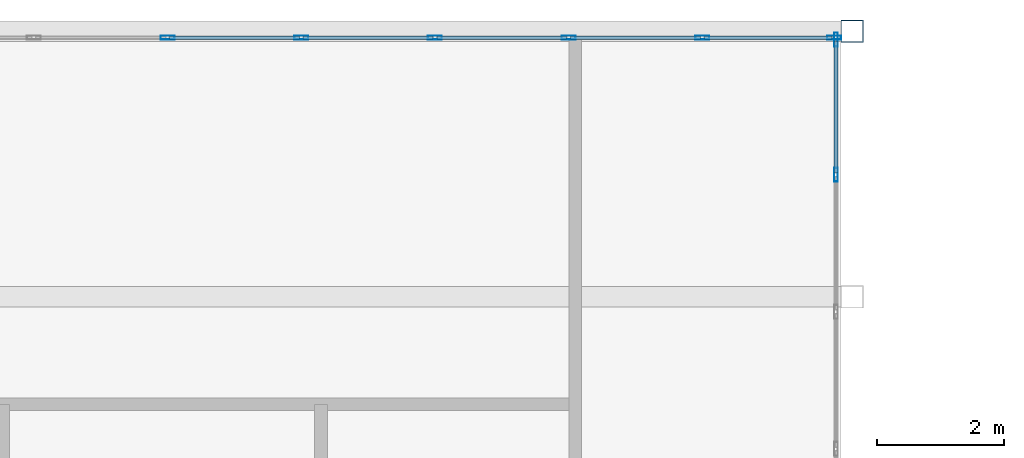
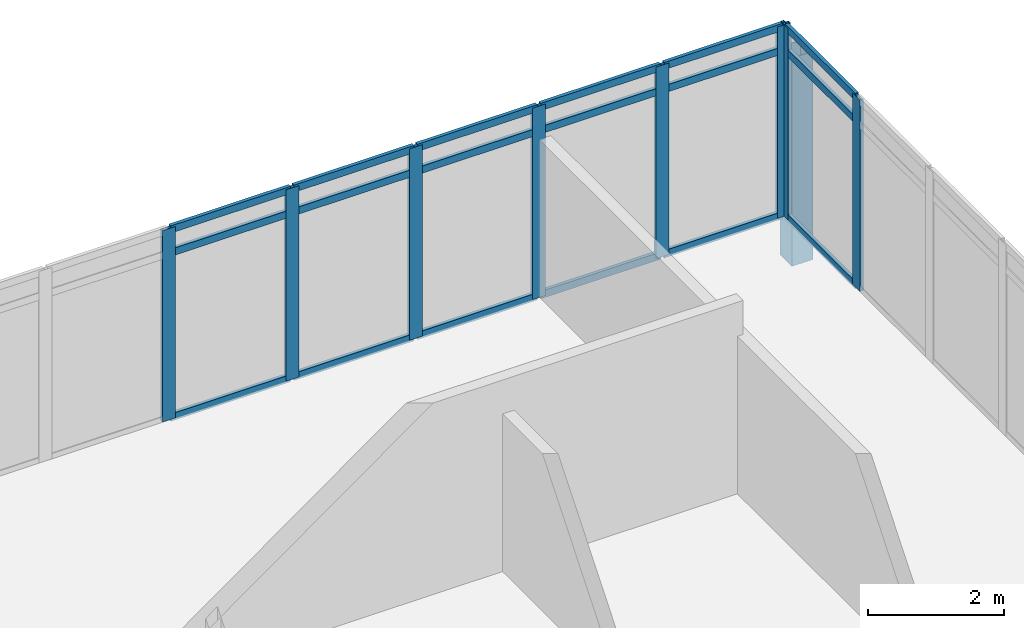
# One storey, part 17 of 25: 27 members, 2 elements without a shape of their own.
"""IFC4 building model written with IfcOpenShell, lengths in metres."""

from ifc_helpers import new_model, si_unit, direction, frame, origin, origin_2d, place, context, subcontext, project, spatial, hollow_rectangle, extrude, material, material_profile, profile_set, type_object, element, aggregate, save


model = new_model("IFC4")

# Units and contexts
model_context = context("Model", 3, precision=1e-05, world=origin(), true_north=direction((0.0, 1.0)))
body_context = subcontext(model_context, "Body", "Model", "MODEL_VIEW")
ifc_project = project(units=[si_unit("LENGTHUNIT", "METRE"), si_unit("AREAUNIT", "SQUARE_METRE"), si_unit("VOLUMEUNIT", "CUBIC_METRE"), si_unit("PLANEANGLEUNIT", "RADIAN"), si_unit("MASSUNIT", "GRAM", prefix="KILO")], contexts=[model_context])

# Site, building, storey
site_placement = place(None, origin())
site = spatial("IfcSite", under=ifc_project, at=site_placement, CompositionType="ELEMENT")
building_placement = place(site_placement, origin())
building = spatial("IfcBuilding", under=site, at=building_placement, Name="Ostrander Bayou Hotel Tower", CompositionType="ELEMENT")
storey_placement = place(building_placement, frame((0.0, 0.0, 229.5)))
storey = spatial("IfcBuildingStorey", under=building, at=storey_placement, Name="L57", CompositionType="ELEMENT", Elevation=229.5)

# Curtain wall, members
ifc_material_1 = material(Name="Aluminium and clear glass", Category="aluminium")
curtain_wall_type = type_object("IfcCurtainWallType", Name="CW-BAR glazed wall", PredefinedType="NOTDEFINED", material=ifc_material_1)
curtain_wall_1_placement = place(storey_placement, origin())
curtain_wall_1 = element("IfcCurtainWall", 1, at=curtain_wall_1_placement, inside=storey, type_object=curtain_wall_type, Name="CW-BAR L57:SB5N:T", PredefinedType="NOTDEFINED")
ifc_material_2 = material(Name="Aluminium", Category="aluminium")
ifc_material_profile_1 = material_profile(ifc_material_2, hollow_rectangle(XDim=0.06005859375, YDim=0.219970703125, WallThickness=0.00390625, at=origin_2d()))
ifc_profile_set_1 = profile_set([ifc_material_profile_1], Name="Aluminium")
member_type_1 = type_object("IfcMemberType", Name="CW-BR mullion 60 x 220 mm", PredefinedType="MULLION", material=ifc_profile_set_1)
member_1_placement = place(storey_placement, frame((0.0, 28.86669921875, 0.0), z_axis=(0.0, 0.0, 1.0), x_axis=(0.0, 1.0, 0.0)))
member_1 = element("IfcMember", 2, at=member_1_placement, type_object=member_type_1, Name="CW-BAR mullion 6", PredefinedType="MULLION", context=body_context, shape_type="SweptSolid", body=[
    extrude(hollow_rectangle(XDim=0.06005859375, YDim=0.219970703125, WallThickness=0.00390625, at=origin_2d()), origin(), (0.0, 0.0, 1.0), 3.449951171875),
])
member_2_placement = place(storey_placement, frame((2.1025390625, 28.86669921875, 0.0), z_axis=(0.0, 0.0, 1.0), x_axis=(0.0, 1.0, 0.0)))
member_2 = element("IfcMember", 3, at=member_2_placement, type_object=member_type_1, Name="CW-BAR mullion 7", PredefinedType="MULLION", context=body_context, shape_type="SweptSolid", body=[
    extrude(hollow_rectangle(XDim=0.06005859375, YDim=0.219970703125, WallThickness=0.00390625, at=origin_2d()), origin(), (0.0, 0.0, 1.0), 3.449951171875),
])
member_3_placement = place(storey_placement, frame((4.204833984375, 28.86669921875, 0.0), z_axis=(0.0, 0.0, 1.0), x_axis=(0.0, 1.0, 0.0)))
member_3 = element("IfcMember", 4, at=member_3_placement, type_object=member_type_1, Name="CW-BAR mullion 8", PredefinedType="MULLION", context=body_context, shape_type="SweptSolid", body=[
    extrude(hollow_rectangle(XDim=0.06005859375, YDim=0.219970703125, WallThickness=0.00390625, at=origin_2d()), origin(), (0.0, 0.0, 1.0), 3.449951171875),
])
member_4_placement = place(storey_placement, frame((6.307373046875, 28.86669921875, 0.0), z_axis=(0.0, 0.0, 1.0), x_axis=(0.0, 1.0, 0.0)))
member_4 = element("IfcMember", 5, at=member_4_placement, type_object=member_type_1, Name="CW-BAR mullion 9", PredefinedType="MULLION", context=body_context, shape_type="SweptSolid", body=[
    extrude(hollow_rectangle(XDim=0.06005859375, YDim=0.219970703125, WallThickness=0.00390625, at=origin_2d()), origin(), (0.0, 0.0, 1.0), 3.449951171875),
])
member_5_placement = place(storey_placement, frame((8.40966796875, 28.86669921875, 0.0), z_axis=(0.0, 0.0, 1.0), x_axis=(0.0, 1.0, 0.0)))
member_5 = element("IfcMember", 6, at=member_5_placement, type_object=member_type_1, Name="CW-BAR mullion 10", PredefinedType="MULLION", context=body_context, shape_type="SweptSolid", body=[
    extrude(hollow_rectangle(XDim=0.06005859375, YDim=0.219970703125, WallThickness=0.00390625, at=origin_2d()), origin(), (0.0, 0.0, 1.0), 3.449951171875),
])
member_6_placement = place(storey_placement, frame((10.482177734375, 28.86669921875, 0.0), z_axis=(0.0, 0.0, 1.0), x_axis=(0.0, 1.0, 0.0)))
member_6 = element("IfcMember", 7, at=member_6_placement, type_object=member_type_1, Name="CW-BAR mullion 11", PredefinedType="MULLION", context=body_context, shape_type="SweptSolid", body=[
    extrude(hollow_rectangle(XDim=0.06005859375, YDim=0.219970703125, WallThickness=0.00390625, at=origin_2d()), origin(), (0.0, 0.0, 1.0), 3.449951171875),
])

curtain_wall_2_placement = place(storey_placement, origin())
curtain_wall_2 = element("IfcCurtainWall", 8, at=curtain_wall_2_placement, inside=storey, type_object=curtain_wall_type, Name="CW-BAR L57:SB5N:W", PredefinedType="NOTDEFINED")
member_7_placement = place(storey_placement, frame((10.51220703125, 26.7109375, 0.0), z_axis=(0.0, 0.0, 1.0), x_axis=(-1.0, 0.0, 0.0)))
member_7 = element("IfcMember", 9, at=member_7_placement, type_object=member_type_1, Name="CW-BAR mullion 9", PredefinedType="MULLION", context=body_context, shape_type="SweptSolid", body=[
    extrude(hollow_rectangle(XDim=0.06005859375, YDim=0.219970703125, WallThickness=0.00390625, at=origin_2d()), origin(), (0.0, 0.0, 1.0), 3.449951171875),
])
member_8_placement = place(storey_placement, frame((10.51220703125, 28.836669921875, 0.0), z_axis=(0.0, 0.0, 1.0), x_axis=(-1.0, 0.0, 0.0)))
member_8 = element("IfcMember", 10, at=member_8_placement, type_object=member_type_1, Name="CW-BAR mullion 10", PredefinedType="MULLION", context=body_context, shape_type="SweptSolid", body=[
    extrude(hollow_rectangle(XDim=0.06005859375, YDim=0.219970703125, WallThickness=0.00390625, at=origin_2d()), origin(), (0.0, 0.0, 1.0), 3.449951171875),
])

# Member
ifc_material_3 = material(Name="Aluminium", Category="aluminium")
ifc_material_profile_2 = material_profile(ifc_material_3, hollow_rectangle(XDim=0.06005859375, YDim=0.1298828125, WallThickness=0.00390625, at=origin_2d()))
ifc_profile_set_2 = profile_set([ifc_material_profile_2], Name="Aluminium")
member_type_2 = type_object("IfcMemberType", Name="CW-BR transom 60 x 130 mm", PredefinedType="USERDEFINED", material=ifc_profile_set_2)
member_9_placement = place(storey_placement, frame((0.030029296875, 28.86669921875, 0.030029296875), z_axis=(1.0, 0.0, 0.0), x_axis=(0.0, 1.0, 0.0)))
member_9 = element("IfcMember", 11, at=member_9_placement, type_object=member_type_2, Name="CW-BAR transom 6.1", ObjectType="TRANSOM", PredefinedType="USERDEFINED", context=body_context, shape_type="SweptSolid", body=[
    extrude(hollow_rectangle(XDim=0.06005859375, YDim=0.1298828125, WallThickness=0.00390625, at=origin_2d()), origin(), (0.0, 0.0, 1.0), 2.04248046875),
])

member_10_placement = place(storey_placement, frame((0.030029296875, 28.86669921875, 3.0), z_axis=(1.0, 0.0, 0.0), x_axis=(0.0, 1.0, 0.0)))
member_10 = element("IfcMember", 12, at=member_10_placement, type_object=member_type_2, Name="CW-BAR transom 6.2", ObjectType="TRANSOM", PredefinedType="USERDEFINED", context=body_context, shape_type="SweptSolid", body=[
    extrude(hollow_rectangle(XDim=0.06005859375, YDim=0.1298828125, WallThickness=0.00390625, at=origin_2d()), origin(), (0.0, 0.0, 1.0), 2.04248046875),
])

member_11_placement = place(storey_placement, frame((0.030029296875, 28.86669921875, 3.419921875), z_axis=(1.0, 0.0, 0.0), x_axis=(0.0, 1.0, 0.0)))
member_11 = element("IfcMember", 13, at=member_11_placement, type_object=member_type_2, Name="CW-BAR transom 6.3", ObjectType="TRANSOM", PredefinedType="USERDEFINED", context=body_context, shape_type="SweptSolid", body=[
    extrude(hollow_rectangle(XDim=0.06005859375, YDim=0.1298828125, WallThickness=0.00390625, at=origin_2d()), origin(), (0.0, 0.0, 1.0), 2.04248046875),
])

member_12_placement = place(storey_placement, frame((2.13232421875, 28.86669921875, 0.030029296875), z_axis=(1.0, 0.0, 0.0), x_axis=(0.0, 1.0, 0.0)))
member_12 = element("IfcMember", 14, at=member_12_placement, type_object=member_type_2, Name="CW-BAR transom 7.1", ObjectType="TRANSOM", PredefinedType="USERDEFINED", context=body_context, shape_type="SweptSolid", body=[
    extrude(hollow_rectangle(XDim=0.06005859375, YDim=0.1298828125, WallThickness=0.00390625, at=origin_2d()), origin(), (0.0, 0.0, 1.0), 2.04248046875),
])

member_13_placement = place(storey_placement, frame((2.13232421875, 28.86669921875, 3.0), z_axis=(1.0, 0.0, 0.0), x_axis=(0.0, 1.0, 0.0)))
member_13 = element("IfcMember", 15, at=member_13_placement, type_object=member_type_2, Name="CW-BAR transom 7.2", ObjectType="TRANSOM", PredefinedType="USERDEFINED", context=body_context, shape_type="SweptSolid", body=[
    extrude(hollow_rectangle(XDim=0.06005859375, YDim=0.1298828125, WallThickness=0.00390625, at=origin_2d()), origin(), (0.0, 0.0, 1.0), 2.04248046875),
])

member_14_placement = place(storey_placement, frame((2.13232421875, 28.86669921875, 3.419921875), z_axis=(1.0, 0.0, 0.0), x_axis=(0.0, 1.0, 0.0)))
member_14 = element("IfcMember", 16, at=member_14_placement, type_object=member_type_2, Name="CW-BAR transom 7.3", ObjectType="TRANSOM", PredefinedType="USERDEFINED", context=body_context, shape_type="SweptSolid", body=[
    extrude(hollow_rectangle(XDim=0.06005859375, YDim=0.1298828125, WallThickness=0.00390625, at=origin_2d()), origin(), (0.0, 0.0, 1.0), 2.04248046875),
])

member_15_placement = place(storey_placement, frame((4.23486328125, 28.86669921875, 0.030029296875), z_axis=(1.0, 0.0, 0.0), x_axis=(0.0, 1.0, 0.0)))
member_15 = element("IfcMember", 17, at=member_15_placement, type_object=member_type_2, Name="CW-BAR transom 8.1", ObjectType="TRANSOM", PredefinedType="USERDEFINED", context=body_context, shape_type="SweptSolid", body=[
    extrude(hollow_rectangle(XDim=0.06005859375, YDim=0.1298828125, WallThickness=0.00390625, at=origin_2d()), origin(), (0.0, 0.0, 1.0), 2.04248046875),
])

member_16_placement = place(storey_placement, frame((4.23486328125, 28.86669921875, 3.0), z_axis=(1.0, 0.0, 0.0), x_axis=(0.0, 1.0, 0.0)))
member_16 = element("IfcMember", 18, at=member_16_placement, type_object=member_type_2, Name="CW-BAR transom 8.2", ObjectType="TRANSOM", PredefinedType="USERDEFINED", context=body_context, shape_type="SweptSolid", body=[
    extrude(hollow_rectangle(XDim=0.06005859375, YDim=0.1298828125, WallThickness=0.00390625, at=origin_2d()), origin(), (0.0, 0.0, 1.0), 2.04248046875),
])

member_17_placement = place(storey_placement, frame((4.23486328125, 28.86669921875, 3.419921875), z_axis=(1.0, 0.0, 0.0), x_axis=(0.0, 1.0, 0.0)))
member_17 = element("IfcMember", 19, at=member_17_placement, type_object=member_type_2, Name="CW-BAR transom 8.3", ObjectType="TRANSOM", PredefinedType="USERDEFINED", context=body_context, shape_type="SweptSolid", body=[
    extrude(hollow_rectangle(XDim=0.06005859375, YDim=0.1298828125, WallThickness=0.00390625, at=origin_2d()), origin(), (0.0, 0.0, 1.0), 2.04248046875),
])

member_18_placement = place(storey_placement, frame((6.33740234375, 28.86669921875, 0.030029296875), z_axis=(1.0, 0.0, 0.0), x_axis=(0.0, 1.0, 0.0)))
member_18 = element("IfcMember", 20, at=member_18_placement, type_object=member_type_2, Name="CW-BAR transom 9.1", ObjectType="TRANSOM", PredefinedType="USERDEFINED", context=body_context, shape_type="SweptSolid", body=[
    extrude(hollow_rectangle(XDim=0.06005859375, YDim=0.1298828125, WallThickness=0.00390625, at=origin_2d()), origin(), (0.0, 0.0, 1.0), 2.042236328125),
])

member_19_placement = place(storey_placement, frame((6.33740234375, 28.86669921875, 3.0), z_axis=(1.0, 0.0, 0.0), x_axis=(0.0, 1.0, 0.0)))
member_19 = element("IfcMember", 21, at=member_19_placement, type_object=member_type_2, Name="CW-BAR transom 9.2", ObjectType="TRANSOM", PredefinedType="USERDEFINED", context=body_context, shape_type="SweptSolid", body=[
    extrude(hollow_rectangle(XDim=0.06005859375, YDim=0.1298828125, WallThickness=0.00390625, at=origin_2d()), origin(), (0.0, 0.0, 1.0), 2.042236328125),
])

member_20_placement = place(storey_placement, frame((6.33740234375, 28.86669921875, 3.419921875), z_axis=(1.0, 0.0, 0.0), x_axis=(0.0, 1.0, 0.0)))
member_20 = element("IfcMember", 22, at=member_20_placement, type_object=member_type_2, Name="CW-BAR transom 9.3", ObjectType="TRANSOM", PredefinedType="USERDEFINED", context=body_context, shape_type="SweptSolid", body=[
    extrude(hollow_rectangle(XDim=0.06005859375, YDim=0.1298828125, WallThickness=0.00390625, at=origin_2d()), origin(), (0.0, 0.0, 1.0), 2.042236328125),
])

member_21_placement = place(storey_placement, frame((8.439697265625, 28.86669921875, 0.030029296875), z_axis=(1.0, 0.0, 0.0), x_axis=(0.0, 1.0, 0.0)))
member_21 = element("IfcMember", 23, at=member_21_placement, type_object=member_type_2, Name="CW-BAR transom 10.1", ObjectType="TRANSOM", PredefinedType="USERDEFINED", context=body_context, shape_type="SweptSolid", body=[
    extrude(hollow_rectangle(XDim=0.06005859375, YDim=0.1298828125, WallThickness=0.00390625, at=origin_2d()), origin(), (0.0, 0.0, 1.0), 2.012451171875),
])

member_22_placement = place(storey_placement, frame((8.439697265625, 28.86669921875, 3.0), z_axis=(1.0, 0.0, 0.0), x_axis=(0.0, 1.0, 0.0)))
member_22 = element("IfcMember", 24, at=member_22_placement, type_object=member_type_2, Name="CW-BAR transom 10.2", ObjectType="TRANSOM", PredefinedType="USERDEFINED", context=body_context, shape_type="SweptSolid", body=[
    extrude(hollow_rectangle(XDim=0.06005859375, YDim=0.1298828125, WallThickness=0.00390625, at=origin_2d()), origin(), (0.0, 0.0, 1.0), 2.012451171875),
])

member_23_placement = place(storey_placement, frame((8.439697265625, 28.86669921875, 3.419921875), z_axis=(1.0, 0.0, 0.0), x_axis=(0.0, 1.0, 0.0)))
member_23 = element("IfcMember", 25, at=member_23_placement, type_object=member_type_2, Name="CW-BAR transom 10.3", ObjectType="TRANSOM", PredefinedType="USERDEFINED", context=body_context, shape_type="SweptSolid", body=[
    extrude(hollow_rectangle(XDim=0.06005859375, YDim=0.1298828125, WallThickness=0.00390625, at=origin_2d()), origin(), (0.0, 0.0, 1.0), 2.012451171875),
])

aggregate(curtain_wall_1, [member_1, member_2, member_3, member_4, member_5, member_6, member_9, member_10, member_11, member_12, member_13, member_14, member_15, member_16, member_17, member_18, member_19, member_20, member_21, member_22, member_23])

member_24_placement = place(storey_placement, frame((10.51220703125, 26.740966796875, 0.030029296875), z_axis=(0.0, 1.0, 0.0), x_axis=(-1.0, 0.0, 0.0)))
member_24 = element("IfcMember", 26, at=member_24_placement, type_object=member_type_2, Name="CW-BAR transom 9.1", ObjectType="TRANSOM", PredefinedType="USERDEFINED", context=body_context, shape_type="SweptSolid", body=[
    extrude(hollow_rectangle(XDim=0.06005859375, YDim=0.1298828125, WallThickness=0.00390625, at=origin_2d()), origin(), (0.0, 0.0, 1.0), 2.065673828125),
])

member_25_placement = place(storey_placement, frame((10.51220703125, 26.740966796875, 3.0), z_axis=(0.0, 1.0, 0.0), x_axis=(-1.0, 0.0, 0.0)))
member_25 = element("IfcMember", 27, at=member_25_placement, type_object=member_type_2, Name="CW-BAR transom 9.2", ObjectType="TRANSOM", PredefinedType="USERDEFINED", context=body_context, shape_type="SweptSolid", body=[
    extrude(hollow_rectangle(XDim=0.06005859375, YDim=0.1298828125, WallThickness=0.00390625, at=origin_2d()), origin(), (0.0, 0.0, 1.0), 2.065673828125),
])

member_26_placement = place(storey_placement, frame((10.51220703125, 26.740966796875, 3.419921875), z_axis=(0.0, 1.0, 0.0), x_axis=(-1.0, 0.0, 0.0)))
member_26 = element("IfcMember", 28, at=member_26_placement, type_object=member_type_2, Name="CW-BAR transom 9.3", ObjectType="TRANSOM", PredefinedType="USERDEFINED", context=body_context, shape_type="SweptSolid", body=[
    extrude(hollow_rectangle(XDim=0.06005859375, YDim=0.1298828125, WallThickness=0.00390625, at=origin_2d()), origin(), (0.0, 0.0, 1.0), 2.065673828125),
])

aggregate(curtain_wall_2, [member_7, member_8, member_24, member_25, member_26])

ifc_material_4 = material(Name="Steel ASTM A500 Gr C", Category="steel")
ifc_material_profile_3 = material_profile(ifc_material_4, hollow_rectangle(XDim=0.355712890625, YDim=0.355712890625, WallThickness=0.0146484375, at=origin_2d()))
ifc_profile_set_3 = profile_set([ifc_material_profile_3], Name="Steel ASTM A500 Gr C")
member_type_3 = type_object("IfcMemberType", Name="TH1 bar hanger HSS14x14x5/8", PredefinedType="POST", material=ifc_profile_set_3)
member_27_placement = place(storey_placement, frame((10.764892578125, 28.966552734375, -0.9111328125), z_axis=(0.0, 0.0, 1.0), x_axis=(1.0, 0.0, 0.0)))
element("IfcMember", 29, at=member_27_placement, inside=storey, type_object=member_type_3, Name="TH1 SB5WB H1-3", PredefinedType="POST", context=body_context, shape_type="SweptSolid", body=[
    extrude(hollow_rectangle(XDim=0.355712890625, YDim=0.355712890625, WallThickness=0.0146484375, at=origin_2d()), origin(), (0.0, 0.0, 1.0), 3.75),
])

save(model, "model.ifc")
